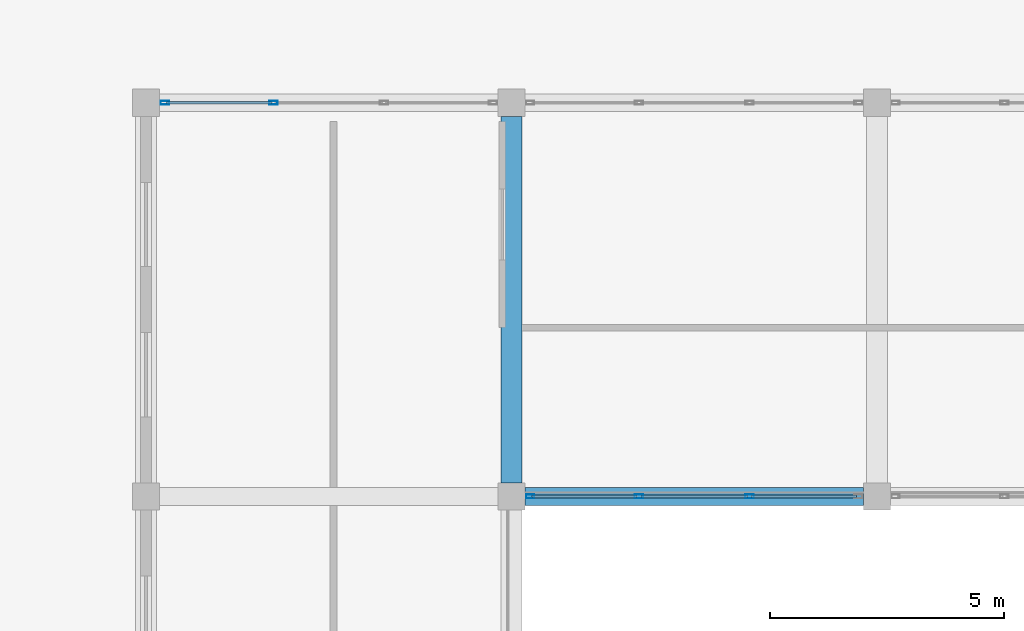
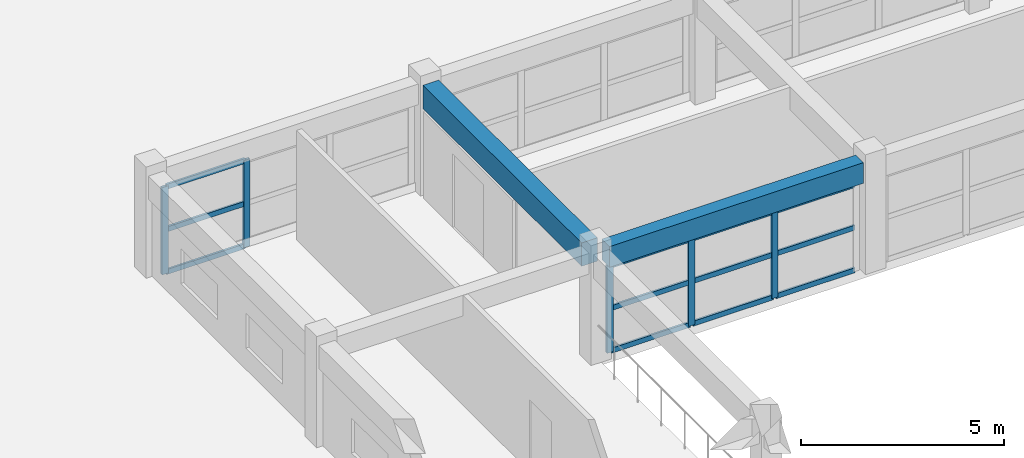
# One storey, part 66 of 101: 17 members, 2 beams, 2 elements without a shape of their own.
"""IFC4 building model written with IfcOpenShell, lengths in metres."""

from ifc_helpers import new_model, si_unit, direction, frame, origin, origin_2d, place, context, subcontext, project, spatial, rectangle, hollow_rectangle, extrude, material, layer, layer_set, material_profile, profile_set, type_object, element, aggregate, save


model = new_model("IFC4")

# Units and contexts
model_context = context("Model", 3, precision=1e-05, world=origin(), true_north=direction((0.0, 1.0)))
body_context = subcontext(model_context, "Body", "Model", "MODEL_VIEW")
ifc_project = project(units=[si_unit("LENGTHUNIT", "METRE"), si_unit("AREAUNIT", "SQUARE_METRE"), si_unit("VOLUMEUNIT", "CUBIC_METRE"), si_unit("PLANEANGLEUNIT", "RADIAN"), si_unit("MASSUNIT", "GRAM", prefix="KILO")], contexts=[model_context])

# Site, building, storey
site_placement = place(None, origin())
site = spatial("IfcSite", under=ifc_project, at=site_placement, CompositionType="ELEMENT")
building_placement = place(site_placement, origin())
building = spatial("IfcBuilding", under=site, at=building_placement, Name="Zizhar Promenade General Hospital", CompositionType="ELEMENT")
storey_placement = place(building_placement, frame((0.0, 0.0, 14.39990234375)))
storey = spatial("IfcBuildingStorey", under=building, at=storey_placement, Name="L03", CompositionType="ELEMENT", Elevation=14.39990234375)

# Beams
ifc_material_1 = material(Name="Concrete C35/45", Category="concrete")
ifc_material_profile_1 = material_profile(ifc_material_1, rectangle(XDim=0.3798828125, YDim=0.6201171875, at=origin_2d()))
ifc_profile_set_1 = profile_set([ifc_material_profile_1], Name="Concrete C35/45")
beam_type_1 = type_object("IfcBeamType", Name="BM-RC-380x620", PredefinedType="JOIST", material=ifc_profile_set_1)
beam_1_placement = place(storey_placement, frame((148.489990234375, 92.39990234375, 3.0), z_axis=(1.0, 0.0, 0.0), x_axis=(0.0, 1.0, 0.0)))
element("IfcBeam", 1, at=beam_1_placement, inside=storey, type_object=beam_type_1, Name="Grid Beam X L03 (19-11)", PredefinedType="JOIST", context=body_context, shape_type="SweptSolid", body=[
    extrude(rectangle(XDim=0.3798828125, YDim=0.6201171875, at=origin_2d()), origin(), (0.0, 0.0, 1.0), 7.219970703125),
])
ifc_material_2 = material(Name="Concrete C35/45", Category="concrete")
ifc_material_profile_2 = material_profile(ifc_material_2, rectangle(XDim=0.449951171875, YDim=0.699951171875, at=origin_2d()))
ifc_profile_set_2 = profile_set([ifc_material_profile_2], Name="Concrete C35/45")
beam_type_2 = type_object("IfcBeamType", Name="BM-RC-450x700", PredefinedType="BEAM", material=ifc_profile_set_2)
beam_2_placement = place(storey_placement, frame((148.199951171875, 92.68994140625, 2.960205078125), z_axis=(0.0, 1.0, 0.0), x_axis=(-1.0, 0.0, 0.0)))
element("IfcBeam", 2, at=beam_2_placement, inside=storey, type_object=beam_type_2, Name="Grid Beam Y L03 (19-11)", PredefinedType="BEAM", context=body_context, shape_type="SweptSolid", body=[
    extrude(rectangle(XDim=0.449951171875, YDim=0.699951171875, at=origin_2d()), origin(), (0.0, 0.0, 1.0), 7.820068359375),
])

# Curtain wall, members
ifc_material_3 = material(Name="Anodised aluminium 6063-T6 and low-E glass", Category="aluminium")
ifc_layer_1 = layer(ifc_material_3, 0.159912109375)
ifc_layer_set_1 = layer_set([ifc_layer_1], Name="Anodised aluminium 6063-T6 and low-E glass")
curtain_wall_type_1 = type_object("IfcCurtainWallType", Name="CW-CLN-L03", PredefinedType="NOTDEFINED", material=ifc_layer_set_1)
curtain_wall_1_placement = place(storey_placement, origin())
curtain_wall_1 = element("IfcCurtainWall", 3, at=curtain_wall_1_placement, inside=storey, type_object=curtain_wall_type_1, Name="L03 Clinic Pavilion North Glazing 18", PredefinedType="NOTDEFINED")
ifc_material_4 = material(Name="Anodised aluminium 6063-T6", Category="aluminium")
ifc_material_profile_3 = material_profile(ifc_material_4, hollow_rectangle(XDim=0.080078125, YDim=0.179931640625, WallThickness=0.0048828125, at=origin_2d()))
ifc_profile_set_3 = profile_set([ifc_material_profile_3], Name="Anodised aluminium 6063-T6")
member_type_1 = type_object("IfcMemberType", Name="CWM-ALU-180x80", PredefinedType="MULLION", material=ifc_profile_set_3)
member_1_placement = place(storey_placement, frame((140.800048828125, 100.800048828125, 0.0), z_axis=(0.0, 0.0, 1.0), x_axis=(0.0, 1.0, 0.0)))
member_1 = element("IfcMember", 4, at=member_1_placement, type_object=member_type_1, Name="CW-11 mullion 1", PredefinedType="MULLION", context=body_context, shape_type="SweptSolid", body=[
    extrude(hollow_rectangle(XDim=0.080078125, YDim=0.179931640625, WallThickness=0.0048828125, at=origin_2d()), origin(), (0.0, 0.0, 1.0), 2.6201171875),
])
member_2_placement = place(storey_placement, frame((143.1201171875, 100.800048828125, 0.0), z_axis=(0.0, 0.0, 1.0), x_axis=(0.0, 1.0, 0.0)))
member_2 = element("IfcMember", 5, at=member_2_placement, type_object=member_type_1, Name="CW-11 mullion 2", PredefinedType="MULLION", context=body_context, shape_type="SweptSolid", body=[
    extrude(hollow_rectangle(XDim=0.080078125, YDim=0.179931640625, WallThickness=0.0048828125, at=origin_2d()), origin(), (0.0, 0.0, 1.0), 2.6201171875),
])

ifc_material_5 = material(Name="Anodised aluminium 6063-T6 and low-E glass", Category="aluminium")
ifc_layer_2 = layer(ifc_material_5, 0.159912109375)
ifc_layer_set_2 = layer_set([ifc_layer_2], Name="Anodised aluminium 6063-T6 and low-E glass")
curtain_wall_type_2 = type_object("IfcCurtainWallType", Name="CW-CLN-CRT", PredefinedType="NOTDEFINED", material=ifc_layer_set_2)
curtain_wall_2_placement = place(storey_placement, origin())
curtain_wall_2 = element("IfcCurtainWall", 6, at=curtain_wall_2_placement, inside=storey, type_object=curtain_wall_type_2, Name="East Light Court North Glazing L03-19", PredefinedType="NOTDEFINED")
member_3_placement = place(storey_placement, frame((153.280029296875, 92.39990234375, 0.0), z_axis=(0.0, 0.0, 1.0), x_axis=(0.0, -1.0, 0.0)))
member_3 = element("IfcMember", 7, at=member_3_placement, type_object=member_type_1, Name="CW-10 mullion 2", PredefinedType="MULLION", context=body_context, shape_type="SweptSolid", body=[
    extrude(hollow_rectangle(XDim=0.080078125, YDim=0.179931640625, WallThickness=0.0048828125, at=origin_2d()), origin(), (0.0, 0.0, 1.0), 2.6201171875),
])
member_4_placement = place(storey_placement, frame((150.919921875, 92.39990234375, 0.0), z_axis=(0.0, 0.0, 1.0), x_axis=(0.0, -1.0, 0.0)))
member_4 = element("IfcMember", 8, at=member_4_placement, type_object=member_type_1, Name="CW-10 mullion 3", PredefinedType="MULLION", context=body_context, shape_type="SweptSolid", body=[
    extrude(hollow_rectangle(XDim=0.080078125, YDim=0.179931640625, WallThickness=0.0048828125, at=origin_2d()), origin(), (0.0, 0.0, 1.0), 2.6201171875),
])
member_5_placement = place(storey_placement, frame((148.60009765625, 92.39990234375, 0.0), z_axis=(0.0, 0.0, 1.0), x_axis=(0.0, -1.0, 0.0)))
member_5 = element("IfcMember", 9, at=member_5_placement, type_object=member_type_1, Name="CW-10 mullion 4", PredefinedType="MULLION", context=body_context, shape_type="SweptSolid", body=[
    extrude(hollow_rectangle(XDim=0.080078125, YDim=0.179931640625, WallThickness=0.0048828125, at=origin_2d()), origin(), (0.0, 0.0, 1.0), 2.6201171875),
])

# Member
ifc_material_6 = material(Name="Anodised aluminium 6063-T6", Category="aluminium")
ifc_material_profile_4 = material_profile(ifc_material_6, hollow_rectangle(XDim=0.06005859375, YDim=0.14990234375, WallThickness=0.00390625, at=origin_2d()))
ifc_profile_set_4 = profile_set([ifc_material_profile_4], Name="Anodised aluminium 6063-T6")
member_type_2 = type_object("IfcMemberType", Name="CWT-ALU-150x60", PredefinedType="USERDEFINED", material=ifc_profile_set_4)
member_6_placement = place(storey_placement, frame((140.840087890625, 100.800048828125, 0.030029296875), z_axis=(1.0, 0.0, 0.0), x_axis=(0.0, 1.0, 0.0)))
member_6 = element("IfcMember", 10, at=member_6_placement, type_object=member_type_2, Name="CW-11 transom 1.1", ObjectType="TRANSOM", PredefinedType="USERDEFINED", context=body_context, shape_type="SweptSolid", body=[
    extrude(hollow_rectangle(XDim=0.06005859375, YDim=0.14990234375, WallThickness=0.00390625, at=origin_2d()), origin(), (0.0, 0.0, 1.0), 2.239990234375),
])

member_7_placement = place(storey_placement, frame((140.840087890625, 100.800048828125, 1.31005859375), z_axis=(1.0, 0.0, 0.0), x_axis=(0.0, 1.0, 0.0)))
member_7 = element("IfcMember", 11, at=member_7_placement, type_object=member_type_2, Name="CW-11 transom 1.2", ObjectType="TRANSOM", PredefinedType="USERDEFINED", context=body_context, shape_type="SweptSolid", body=[
    extrude(hollow_rectangle(XDim=0.06005859375, YDim=0.14990234375, WallThickness=0.00390625, at=origin_2d()), origin(), (0.0, 0.0, 1.0), 2.239990234375),
])

member_8_placement = place(storey_placement, frame((140.840087890625, 100.800048828125, 2.590087890625), z_axis=(1.0, 0.0, 0.0), x_axis=(0.0, 1.0, 0.0)))
member_8 = element("IfcMember", 12, at=member_8_placement, type_object=member_type_2, Name="CW-11 transom 1.3", ObjectType="TRANSOM", PredefinedType="USERDEFINED", context=body_context, shape_type="SweptSolid", body=[
    extrude(hollow_rectangle(XDim=0.06005859375, YDim=0.14990234375, WallThickness=0.00390625, at=origin_2d()), origin(), (0.0, 0.0, 1.0), 2.239990234375),
])

aggregate(curtain_wall_1, [member_1, member_2, member_6, member_7, member_8])

member_9_placement = place(storey_placement, frame((155.56005859375, 92.39990234375, 0.030029296875), z_axis=(-1.0, 0.0, 0.0), x_axis=(0.0, -1.0, 0.0)))
member_9 = element("IfcMember", 13, at=member_9_placement, type_object=member_type_2, Name="CW-10 transom 1.1", ObjectType="TRANSOM", PredefinedType="USERDEFINED", context=body_context, shape_type="SweptSolid", body=[
    extrude(hollow_rectangle(XDim=0.06005859375, YDim=0.14990234375, WallThickness=0.00390625, at=origin_2d()), origin(), (0.0, 0.0, 1.0), 2.239990234375),
])

member_10_placement = place(storey_placement, frame((155.56005859375, 92.39990234375, 1.31005859375), z_axis=(-1.0, 0.0, 0.0), x_axis=(0.0, -1.0, 0.0)))
member_10 = element("IfcMember", 14, at=member_10_placement, type_object=member_type_2, Name="CW-10 transom 1.2", ObjectType="TRANSOM", PredefinedType="USERDEFINED", context=body_context, shape_type="SweptSolid", body=[
    extrude(hollow_rectangle(XDim=0.06005859375, YDim=0.14990234375, WallThickness=0.00390625, at=origin_2d()), origin(), (0.0, 0.0, 1.0), 2.239990234375),
])

member_11_placement = place(storey_placement, frame((155.56005859375, 92.39990234375, 2.590087890625), z_axis=(-1.0, 0.0, 0.0), x_axis=(0.0, -1.0, 0.0)))
member_11 = element("IfcMember", 15, at=member_11_placement, type_object=member_type_2, Name="CW-10 transom 1.3", ObjectType="TRANSOM", PredefinedType="USERDEFINED", context=body_context, shape_type="SweptSolid", body=[
    extrude(hollow_rectangle(XDim=0.06005859375, YDim=0.14990234375, WallThickness=0.00390625, at=origin_2d()), origin(), (0.0, 0.0, 1.0), 2.239990234375),
])

member_12_placement = place(storey_placement, frame((153.239990234375, 92.39990234375, 0.030029296875), z_axis=(-1.0, 0.0, 0.0), x_axis=(0.0, -1.0, 0.0)))
member_12 = element("IfcMember", 16, at=member_12_placement, type_object=member_type_2, Name="CW-10 transom 2.1", ObjectType="TRANSOM", PredefinedType="USERDEFINED", context=body_context, shape_type="SweptSolid", body=[
    extrude(hollow_rectangle(XDim=0.06005859375, YDim=0.14990234375, WallThickness=0.00390625, at=origin_2d()), origin(), (0.0, 0.0, 1.0), 2.280029296875),
])

member_13_placement = place(storey_placement, frame((153.239990234375, 92.39990234375, 1.31005859375), z_axis=(-1.0, 0.0, 0.0), x_axis=(0.0, -1.0, 0.0)))
member_13 = element("IfcMember", 17, at=member_13_placement, type_object=member_type_2, Name="CW-10 transom 2.2", ObjectType="TRANSOM", PredefinedType="USERDEFINED", context=body_context, shape_type="SweptSolid", body=[
    extrude(hollow_rectangle(XDim=0.06005859375, YDim=0.14990234375, WallThickness=0.00390625, at=origin_2d()), origin(), (0.0, 0.0, 1.0), 2.280029296875),
])

member_14_placement = place(storey_placement, frame((153.239990234375, 92.39990234375, 2.590087890625), z_axis=(-1.0, 0.0, 0.0), x_axis=(0.0, -1.0, 0.0)))
member_14 = element("IfcMember", 18, at=member_14_placement, type_object=member_type_2, Name="CW-10 transom 2.3", ObjectType="TRANSOM", PredefinedType="USERDEFINED", context=body_context, shape_type="SweptSolid", body=[
    extrude(hollow_rectangle(XDim=0.06005859375, YDim=0.14990234375, WallThickness=0.00390625, at=origin_2d()), origin(), (0.0, 0.0, 1.0), 2.280029296875),
])

member_15_placement = place(storey_placement, frame((150.8798828125, 92.39990234375, 0.030029296875), z_axis=(-1.0, 0.0, 0.0), x_axis=(0.0, -1.0, 0.0)))
member_15 = element("IfcMember", 19, at=member_15_placement, type_object=member_type_2, Name="CW-10 transom 3.1", ObjectType="TRANSOM", PredefinedType="USERDEFINED", context=body_context, shape_type="SweptSolid", body=[
    extrude(hollow_rectangle(XDim=0.06005859375, YDim=0.14990234375, WallThickness=0.00390625, at=origin_2d()), origin(), (0.0, 0.0, 1.0), 2.239990234375),
])

member_16_placement = place(storey_placement, frame((150.8798828125, 92.39990234375, 1.31005859375), z_axis=(-1.0, 0.0, 0.0), x_axis=(0.0, -1.0, 0.0)))
member_16 = element("IfcMember", 20, at=member_16_placement, type_object=member_type_2, Name="CW-10 transom 3.2", ObjectType="TRANSOM", PredefinedType="USERDEFINED", context=body_context, shape_type="SweptSolid", body=[
    extrude(hollow_rectangle(XDim=0.06005859375, YDim=0.14990234375, WallThickness=0.00390625, at=origin_2d()), origin(), (0.0, 0.0, 1.0), 2.239990234375),
])

member_17_placement = place(storey_placement, frame((150.8798828125, 92.39990234375, 2.590087890625), z_axis=(-1.0, 0.0, 0.0), x_axis=(0.0, -1.0, 0.0)))
member_17 = element("IfcMember", 21, at=member_17_placement, type_object=member_type_2, Name="CW-10 transom 3.3", ObjectType="TRANSOM", PredefinedType="USERDEFINED", context=body_context, shape_type="SweptSolid", body=[
    extrude(hollow_rectangle(XDim=0.06005859375, YDim=0.14990234375, WallThickness=0.00390625, at=origin_2d()), origin(), (0.0, 0.0, 1.0), 2.239990234375),
])

aggregate(curtain_wall_2, [member_3, member_4, member_5, member_9, member_10, member_11, member_12, member_13, member_14, member_15, member_16, member_17])

save(model, "model.ifc")
